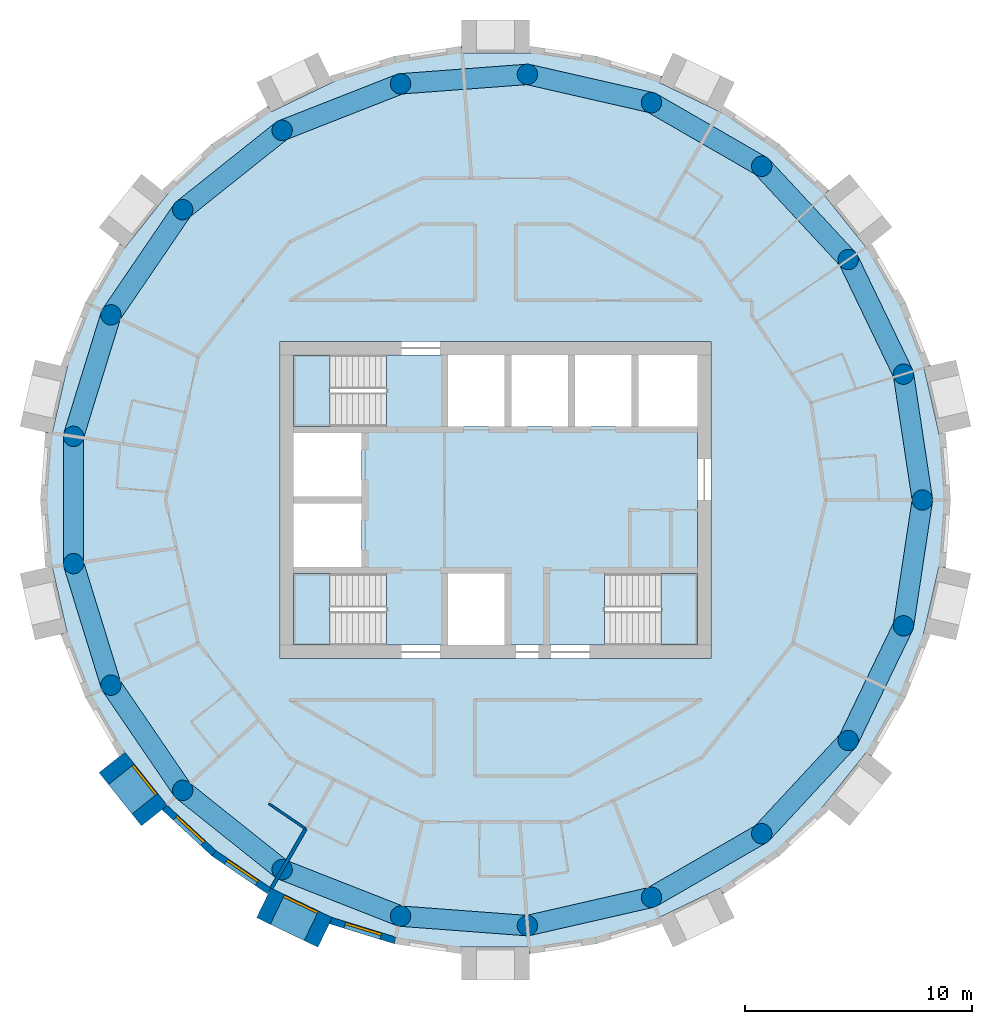
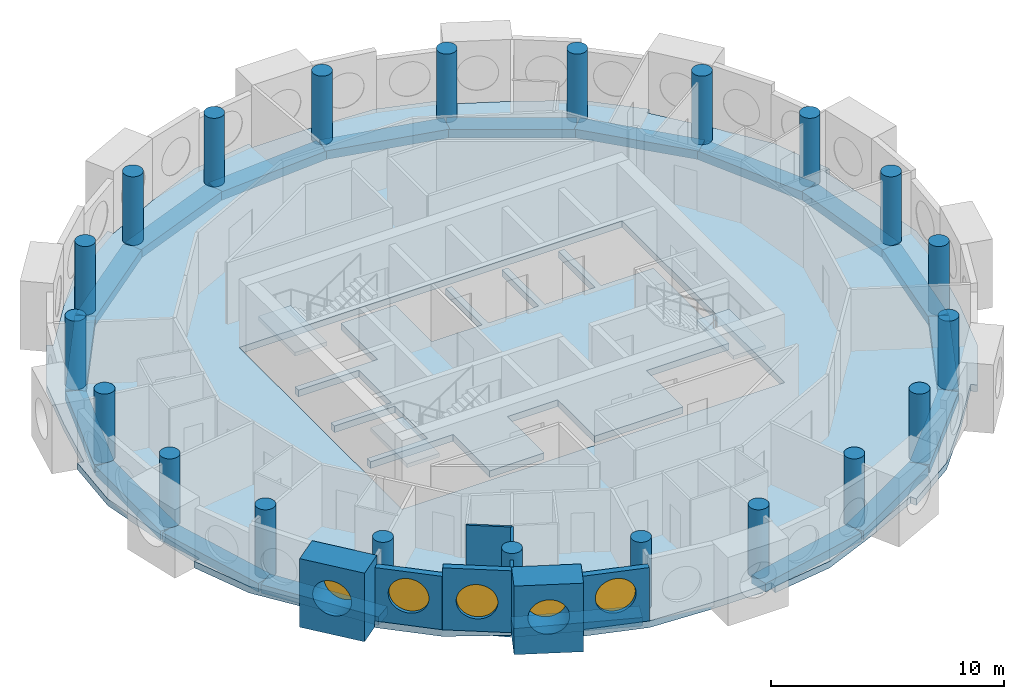
# One storey, part 1 of 12: 21 beams, 21 columns, 7 walls, 5 slabs, 5 windows, 5 openings, 3 elements without a shape of their own.
"""IFC4 building model written with IfcOpenShell, lengths in metres."""

from ifc_helpers import new_model, si_unit, direction, frame, frame_2d, origin, origin_2d, place, context, subcontext, project, spatial, polyline, rectangle, circle, outline, extrude, material, layer, layer_set, material_profile, profile_set, type_object, element, fill, aggregate, save


model = new_model("IFC4")

# Units and contexts
model_context = context("Model", 3, precision=1e-05, world=origin(), true_north=direction((0.0, 1.0)))
body_context = subcontext(model_context, "Body", "Model", "MODEL_VIEW")
ifc_project = project(units=[si_unit("LENGTHUNIT", "METRE"), si_unit("AREAUNIT", "SQUARE_METRE"), si_unit("VOLUMEUNIT", "CUBIC_METRE"), si_unit("PLANEANGLEUNIT", "RADIAN"), si_unit("MASSUNIT", "GRAM", prefix="KILO")], contexts=[model_context])

# Site, building, storey
site_placement = place(None, origin())
site = spatial("IfcSite", under=ifc_project, at=site_placement, CompositionType="ELEMENT")
building_placement = place(site_placement, origin())
building = spatial("IfcBuilding", under=site, at=building_placement, Name="Tracery Tower", CompositionType="ELEMENT")
storey_placement = place(building_placement, frame((0.0, 0.0, 287.39990234375)))
storey = spatial("IfcBuildingStorey", under=building, at=storey_placement, Name="L74", CompositionType="ELEMENT", Elevation=287.39990234375)

# Columns
ifc_material_1 = material(Name="Concrete C40/50", Category="concrete")
ifc_material_profile_1 = material_profile(ifc_material_1, circle(Radius=0.449951171875, at=origin_2d()), Name="RC D900")
ifc_profile_set_1 = profile_set([ifc_material_profile_1], Name="Concrete C40/50")
column_type = type_object("IfcColumnType", Name="Ring 2 column 900", PredefinedType="COLUMN", material=ifc_profile_set_1)
for number, where, z_axis, x_axis, name in (
    (1, (18.822265625, 0.0, 0.0), (0.0, 0.0, 1.0), (1.0, 0.0, 0.0), "Ring 2 column 00 at L74"),
    (2, (17.986083984375, 5.5478515625, 0.0), (0.0, 0.0, 1.0), (1.0, 0.0, 0.0), "Ring 2 column 01 at L74"),
    (3, (15.551513671875, 10.602783203125, 0.0), (0.0, 0.0, 1.0), (1.0, 0.0, 0.0), "Ring 2 column 02 at L74"),
    (4, (11.7353515625, 14.7158203125, 0.0), (0.0, 0.0, 1.0), (1.0, 0.0, 0.0), "Ring 2 column 03 at L74"),
    (5, (6.87646484375, 17.52099609375, 0.0), (0.0, 0.0, 1.0), (1.0, 0.0, 0.0), "Ring 2 column 04 at L74"),
    (6, (1.406494140625, 18.76953125, 0.0), (0.0, 0.0, 1.0), (1.0, 0.0, 0.0), "Ring 2 column 05 at L74"),
    (7, (-4.188232421875, 18.350341796875, 0.0), (0.0, 0.0, 1.0), (1.0, 0.0, 0.0), "Ring 2 column 06 at L74"),
    (8, (-9.4111328125, 16.300537109375, 0.0), (0.0, 0.0, 1.0), (1.0, 0.0, 0.0), "Ring 2 column 07 at L74"),
    (9, (-13.797607421875, 12.802490234375, 0.0), (0.0, 0.0, 1.0), (1.0, 0.0, 0.0), "Ring 2 column 08 at L74"),
    (10, (-16.958251953125, 8.16650390625, 0.0), (0.0, 0.0, 1.0), (1.0, 0.0, 0.0), "Ring 2 column 09 at L74"),
    (11, (-18.612060546875, 2.805419921875, 0.0), (0.0, 0.0, 1.0), (1.0, 0.0, 0.0), "Ring 2 column 10 at L74"),
    (12, (-18.612060546875, -2.805419921875, 0.0), (0.0, 0.0, 1.0), (1.0, 0.0, 0.0), "Ring 2 column 11 at L74"),
    (13, (-16.958251953125, -8.166748046875, 0.0), (0.0, 0.0, 1.0), (1.0, 0.0, 0.0), "Ring 2 column 12 at L74"),
    (14, (-13.797607421875, -12.80224609375, 0.0), (0.0, 0.0, 1.0), (1.0, 0.0, 0.0), "Ring 2 column 13 at L74"),
    (15, (-9.4111328125, -16.300537109375, 0.0), (0.0, 0.0, 1.0), (1.0, 0.0, 0.0), "Ring 2 column 14 at L74"),
    (16, (-4.188232421875, -18.350341796875, 0.0), (0.0, 0.0, 1.0), (1.0, 0.0, 0.0), "Ring 2 column 15 at L74"),
    (17, (1.406494140625, -18.76953125, 0.0), (0.0, 0.0, 1.0), (1.0, 0.0, 0.0), "Ring 2 column 16 at L74"),
    (18, (6.87646484375, -17.52099609375, 0.0), (0.0, 0.0, 1.0), (1.0, 0.0, 0.0), "Ring 2 column 17 at L74"),
    (19, (11.7353515625, -14.7158203125, 0.0), (0.0, 0.0, 1.0), (1.0, 0.0, 0.0), "Ring 2 column 18 at L74"),
    (20, (15.551513671875, -10.602783203125, 0.0), (0.0, 0.0, 1.0), (1.0, 0.0, 0.0), "Ring 2 column 19 at L74"),
    (21, (17.986083984375, -5.5478515625, 0.0), (0.0, 0.0, 1.0), (1.0, 0.0, 0.0), "Ring 2 column 20 at L74"),
):
    element("IfcColumn", number, at=place(storey_placement, frame(where, z_axis=z_axis, x_axis=x_axis)), inside=storey, type_object=column_type, Name=name, PredefinedType="COLUMN", context=body_context, shape_type="SweptSolid", body=[
        extrude(circle(Radius=0.449951171875, at=origin_2d()), origin(), (0.0, 0.0, 1.0), 3.60009765625),
    ])

# Beams
ifc_material_2 = material(Name="Concrete C40/50", Category="concrete")
ifc_material_profile_2 = material_profile(ifc_material_2, rectangle(XDim=0.89990234375, YDim=0.449951171875, at=origin_2d()), Name="RC 900x450")
ifc_profile_set_2 = profile_set([ifc_material_profile_2], Name="Concrete C40/50")
beam_type = type_object("IfcBeamType", Name="Perimeter band beam 900x450", PredefinedType="BEAM", material=ifc_profile_set_2)
for number, where, z_axis, x_axis, name in (
    (22, (18.822265625, 0.0, -0.574951171875), (-0.149038355855, 0.988831415603, 0.0), (-0.988831415603, -0.149038355855, 0.0), "Perimeter beam 2.00 under L74"),
    (23, (17.986083984375, 5.5478515625, -0.574951171875), (-0.433918973155, 0.900951899235, 0.0), (-0.900951899235, -0.433918973155, 0.0), "Perimeter beam 2.01 under L74"),
):
    element("IfcBeam", number, at=place(storey_placement, frame(where, z_axis=z_axis, x_axis=x_axis)), inside=storey, type_object=beam_type, Name=name, PredefinedType="BEAM", context=body_context, shape_type="SweptSolid", body=[
        extrude(rectangle(XDim=0.89990234375, YDim=0.449951171875, at=origin_2d()), origin(), (0.0, 0.0, 1.0), 5.610595703125),
    ])
beam_1_placement = place(storey_placement, frame((15.551513671875, 10.602783203125, -0.574951171875), z_axis=(-0.680155630824, 0.733067744386, 0.0), x_axis=(-0.733067744386, -0.680155630824, 0.0)))
element("IfcBeam", 24, at=beam_1_placement, inside=storey, type_object=beam_type, Name="Perimeter beam 2.02 under L74", PredefinedType="BEAM", context=body_context, shape_type="SweptSolid", body=[
    extrude(rectangle(XDim=0.89990234375, YDim=0.449951171875, at=origin_2d()), origin(), (0.0, 0.0, 1.0), 5.61083984375),
])
for number, where, z_axis, x_axis, name in (
    (25, (11.7353515625, 14.7158203125, -0.574951171875), (-0.866033412818, 0.49998612769, 0.0), (-0.49998612769, -0.866033412818, 0.0), "Perimeter beam 2.03 under L74"),
    (26, (6.87646484375, 17.52099609375, -0.574951171875), (-0.974925977366, 0.222529410768, 0.0), (-0.222529410768, -0.974925977366, 0.0), "Perimeter beam 2.04 under L74"),
):
    element("IfcBeam", number, at=place(storey_placement, frame(where, z_axis=z_axis, x_axis=x_axis)), inside=storey, type_object=beam_type, Name=name, PredefinedType="BEAM", context=body_context, shape_type="SweptSolid", body=[
        extrude(rectangle(XDim=0.89990234375, YDim=0.449951171875, at=origin_2d()), origin(), (0.0, 0.0, 1.0), 5.610595703125),
    ])
beam_2_placement = place(storey_placement, frame((1.406494140625, 18.76953125, -0.574951171875), z_axis=(-0.997204824387, -0.07471638521, 0.0), x_axis=(0.07471638521, -0.997204824387, 0.0)))
element("IfcBeam", 27, at=beam_2_placement, inside=storey, type_object=beam_type, Name="Perimeter beam 2.05 under L74", PredefinedType="BEAM", context=body_context, shape_type="SweptSolid", body=[
    extrude(rectangle(XDim=0.89990234375, YDim=0.449951171875, at=origin_2d()), origin(), (0.0, 0.0, 1.0), 5.6103515625),
])
beam_3_placement = place(storey_placement, frame((-4.188232421875, 18.350341796875, -0.574951171875), z_axis=(-0.930875728468, -0.365335979817, 0.0), x_axis=(0.365335979817, -0.930875728468, 0.0)))
element("IfcBeam", 28, at=beam_3_placement, inside=storey, type_object=beam_type, Name="Perimeter beam 2.06 under L74", PredefinedType="BEAM", context=body_context, shape_type="SweptSolid", body=[
    extrude(rectangle(XDim=0.89990234375, YDim=0.449951171875, at=origin_2d()), origin(), (0.0, 0.0, 1.0), 5.61083984375),
])
beam_4_placement = place(storey_placement, frame((-9.4111328125, 16.300537109375, -0.574951171875), z_axis=(-0.781835817725, -0.623484365579, 0.0), x_axis=(0.623484365579, -0.781835817725, 0.0)))
element("IfcBeam", 29, at=beam_4_placement, inside=storey, type_object=beam_type, Name="Perimeter beam 2.07 under L74", PredefinedType="BEAM", context=body_context, shape_type="SweptSolid", body=[
    extrude(rectangle(XDim=0.89990234375, YDim=0.449951171875, at=origin_2d()), origin(), (0.0, 0.0, 1.0), 5.610595703125),
])
beam_5_placement = place(storey_placement, frame((-13.797607421875, 12.802490234375, -0.574951171875), z_axis=(-0.563305770578, -0.826248515178, 0.0), x_axis=(0.826248515178, -0.563305770578, 0.0)))
element("IfcBeam", 30, at=beam_5_placement, inside=storey, type_object=beam_type, Name="Perimeter beam 2.08 under L74", PredefinedType="BEAM", context=body_context, shape_type="SweptSolid", body=[
    extrude(rectangle(XDim=0.89990234375, YDim=0.449951171875, at=origin_2d()), origin(), (0.0, 0.0, 1.0), 5.61083984375),
])
beam_6_placement = place(storey_placement, frame((-16.958251953125, 8.16650390625, -0.574951171875), z_axis=(-0.294776851839, -0.955566118916, 0.0), x_axis=(0.955566118916, -0.294776851839, 0.0)))
element("IfcBeam", 31, at=beam_6_placement, inside=storey, type_object=beam_type, Name="Perimeter beam 2.09 under L74", PredefinedType="BEAM", context=body_context, shape_type="SweptSolid", body=[
    extrude(rectangle(XDim=0.89990234375, YDim=0.449951171875, at=origin_2d()), origin(), (0.0, 0.0, 1.0), 5.6103515625),
])
beam_7_placement = place(storey_placement, frame((-18.612060546875, 2.805419921875, -0.574951171875), z_axis=(0.0, -1.0, 0.0), x_axis=(1.0, 0.0, 0.0)))
element("IfcBeam", 32, at=beam_7_placement, inside=storey, type_object=beam_type, Name="Perimeter beam 2.10 under L74", PredefinedType="BEAM", context=body_context, shape_type="SweptSolid", body=[
    extrude(rectangle(XDim=0.89990234375, YDim=0.449951171875, at=origin_2d()), origin(), (0.0, 0.0, 1.0), 5.61083984375),
])
for number, where, z_axis, x_axis, name in (
    (33, (-18.612060546875, -2.805419921875, -0.574951171875), (0.294764594813, -0.955569899926, 0.0), (0.955569899926, 0.294764594813, 0.0), "Perimeter beam 2.11 under L74"),
    (34, (-16.958251953125, -8.166748046875, -0.574951171875), (0.5633462764, -0.826220898348, 0.0), (0.826220898348, 0.5633462764, 0.0), "Perimeter beam 2.12 under L74"),
    (35, (-13.797607421875, -12.80224609375, -0.574951171875), (0.781814605872, -0.623510963853, 0.0), (0.623510963853, 0.781814605872, 0.0), "Perimeter beam 2.13 under L74"),
):
    element("IfcBeam", number, at=place(storey_placement, frame(where, z_axis=z_axis, x_axis=x_axis)), inside=storey, type_object=beam_type, Name=name, PredefinedType="BEAM", context=body_context, shape_type="SweptSolid", body=[
        extrude(rectangle(XDim=0.89990234375, YDim=0.449951171875, at=origin_2d()), origin(), (0.0, 0.0, 1.0), 5.610595703125),
    ])
beam_8_placement = place(storey_placement, frame((-9.4111328125, -16.300537109375, -0.574951171875), z_axis=(0.930875728468, -0.365335979817, 0.0), x_axis=(0.365335979817, 0.930875728468, 0.0)))
element("IfcBeam", 36, at=beam_8_placement, inside=storey, type_object=beam_type, Name="Perimeter beam 2.14 under L74", PredefinedType="BEAM", context=body_context, shape_type="SweptSolid", body=[
    extrude(rectangle(XDim=0.89990234375, YDim=0.449951171875, at=origin_2d()), origin(), (0.0, 0.0, 1.0), 5.61083984375),
])
beam_9_placement = place(storey_placement, frame((-4.188232421875, -18.350341796875, -0.574951171875), z_axis=(0.997204824387, -0.07471638521, 0.0), x_axis=(0.07471638521, 0.997204824387, 0.0)))
element("IfcBeam", 37, at=beam_9_placement, inside=storey, type_object=beam_type, Name="Perimeter beam 2.15 under L74", PredefinedType="BEAM", context=body_context, shape_type="SweptSolid", body=[
    extrude(rectangle(XDim=0.89990234375, YDim=0.449951171875, at=origin_2d()), origin(), (0.0, 0.0, 1.0), 5.6103515625),
])
for number, where, z_axis, x_axis, name in (
    (38, (1.406494140625, -18.76953125, -0.574951171875), (0.974925977366, 0.222529410768, 0.0), (-0.222529410768, 0.974925977366, 0.0), "Perimeter beam 2.16 under L74"),
    (39, (6.87646484375, -17.52099609375, -0.574951171875), (0.866033412818, 0.49998612769, 0.0), (-0.49998612769, 0.866033412818, 0.0), "Perimeter beam 2.17 under L74"),
):
    element("IfcBeam", number, at=place(storey_placement, frame(where, z_axis=z_axis, x_axis=x_axis)), inside=storey, type_object=beam_type, Name=name, PredefinedType="BEAM", context=body_context, shape_type="SweptSolid", body=[
        extrude(rectangle(XDim=0.89990234375, YDim=0.449951171875, at=origin_2d()), origin(), (0.0, 0.0, 1.0), 5.610595703125),
    ])
beam_10_placement = place(storey_placement, frame((11.7353515625, -14.7158203125, -0.574951171875), z_axis=(0.680155630824, 0.733067744386, 0.0), x_axis=(-0.733067744386, 0.680155630824, 0.0)))
element("IfcBeam", 40, at=beam_10_placement, inside=storey, type_object=beam_type, Name="Perimeter beam 2.18 under L74", PredefinedType="BEAM", context=body_context, shape_type="SweptSolid", body=[
    extrude(rectangle(XDim=0.89990234375, YDim=0.449951171875, at=origin_2d()), origin(), (0.0, 0.0, 1.0), 5.61083984375),
])
for number, where, z_axis, x_axis, name in (
    (41, (15.551513671875, -10.602783203125, -0.574951171875), (0.433918973155, 0.900951899235, 0.0), (-0.900951899235, 0.433918973155, 0.0), "Perimeter beam 2.19 under L74"),
    (42, (17.986083984375, -5.5478515625, -0.574951171875), (0.149038355855, 0.988831415603, 0.0), (-0.988831415603, 0.149038355855, 0.0), "Perimeter beam 2.20 under L74"),
):
    element("IfcBeam", number, at=place(storey_placement, frame(where, z_axis=z_axis, x_axis=x_axis)), inside=storey, type_object=beam_type, Name=name, PredefinedType="BEAM", context=body_context, shape_type="SweptSolid", body=[
        extrude(rectangle(XDim=0.89990234375, YDim=0.449951171875, at=origin_2d()), origin(), (0.0, 0.0, 1.0), 5.610595703125),
    ])

# Slabs
ifc_material_3 = material(Name="Concrete C40/50", Category="concrete")
ifc_layer_1 = layer(ifc_material_3, 0.35009765625)
ifc_layer_set_1 = layer_set([ifc_layer_1], Name="Core floor slab 350 C40")
slab_type_1 = type_object("IfcSlabType", Name="Core floor slab 350 C40", PredefinedType="FLOOR", material=ifc_layer_set_1)
slab_1_placement = place(storey_placement, frame((0.0, 0.0, -0.349853515625)))
element("IfcSlab", 43, at=slab_1_placement, inside=storey, type_object=slab_type_1, Name="L74 core floor 1", PredefinedType="FLOOR", context=body_context, shape_type="SweptSolid", body=[
    extrude(outline(polyline([(-4.800537109375, -3.25), (-8.89990234375, -3.25), (-8.89990234375, -2.949951171875), (-5.89990234375, -2.949951171875), (-5.89990234375, -0.14990234375), (-8.89990234375, -0.14990234375), (-8.89990234375, 0.14990234375), (-5.89990234375, 0.14990234375), (-5.89990234375, 2.949951171875), (-8.89990234375, 2.949951171875), (-8.89990234375, 3.25), (-4.800537109375, 3.25), (-4.800537109375, 6.39990234375), (-2.10009765625, 6.39990234375), (-2.10009765625, 3.25), (0.39990234375, 3.25), (0.39990234375, 6.39990234375), (0.699951171875, 6.39990234375), (0.699951171875, 3.25), (3.199951171875, 3.25), (3.199951171875, 6.39990234375), (3.5, 6.39990234375), (3.5, 3.25), (6.0, 3.25), (6.0, 6.39990234375), (6.300048828125, 6.39990234375), (6.300048828125, 3.25), (8.89990234375, 3.25), (8.89990234375, -3.25), (4.800537109375, -3.25), (4.800537109375, -6.39990234375), (0.39990234375, -6.39990234375), (0.39990234375, -3.25), (-2.10009765625, -3.25), (-2.10009765625, -6.39990234375), (-4.800537109375, -6.39990234375), (-4.800537109375, -3.25)])), origin(), (0.0, 0.0, 1.0), 0.349853515625),
])
ifc_material_4 = material(Name="Concrete C40/50", Category="concrete")
ifc_layer_2 = layer(ifc_material_4, 0.35009765625)
ifc_layer_set_2 = layer_set([ifc_layer_2], Name="Floor slab 350")
slab_type_2 = type_object("IfcSlabType", Name="Floor slab 350", PredefinedType="FLOOR", material=ifc_layer_set_2)
slab_2_placement = place(storey_placement, frame((0.0, 0.0, -0.349853515625)))
element("IfcSlab", 44, at=slab_2_placement, inside=storey, type_object=slab_type_2, Name="Floor slab L74", PredefinedType="FLOOR", context=body_context, shape_type="SweptSolid", body=[
    extrude(outline(polyline([(19.243408203125, 4.291748046875), (18.887939453125, 5.849609375), (19.18017578125, 5.916259765625), (19.180419921875, 5.91650390625), (18.08447265625, 8.708984375), (16.336181640625, 11.13720703125), (15.6845703125, 11.954345703125), (14.493408203125, 13.447998046875), (14.493408203125, 13.447998046875), (14.4794921875, 13.465576171875), (14.7138671875, 13.652587890625), (14.714111328125, 13.652587890625), (12.514892578125, 15.693115234375), (9.885986328125, 17.122314453125), (9.227294921875, 17.439697265625), (7.223388671875, 18.404541015625), (7.223388671875, 18.404541015625), (7.202880859375, 18.414306640625), (7.333251953125, 18.6845703125), (7.333251953125, 18.684814453125), (4.466552734375, 19.56884765625), (1.47802734375, 19.716064453125), (-1.5, 19.716064453125), (-1.5, 20.01611328125), (-1.5, 20.01611328125), (-4.466552734375, 19.56884765625), (-7.223388671875, 18.404541015625), (-9.227294921875, 17.439697265625), (-9.906005859375, 17.11279296875), (-10.035888671875, 17.3828125), (-10.0361328125, 17.383056640625), (-12.514892578125, 15.693115234375), (-14.493408203125, 13.447998046875), (-15.6845703125, 11.954345703125), (-16.349853515625, 11.1201171875), (-16.58447265625, 11.30712890625), (-18.08447265625, 8.708984375), (-18.892822265625, 5.828125), (-19.243408203125, 4.291748046875), (-19.550537109375, 2.94677734375), (-19.550537109375, 2.94677734375), (-19.555419921875, 2.9248046875), (-19.847900390625, 2.99169921875), (-19.847900390625, 2.99169921875), (-20.072265625, 0.0), (-19.550537109375, -2.94677734375), (-19.243408203125, -4.291748046875), (-18.887939453125, -5.849609375), (-19.18017578125, -5.916259765625), (-19.180419921875, -5.91650390625), (-18.08447265625, -8.708984375), (-16.336181640625, -11.13720703125), (-15.6845703125, -11.954345703125), (-14.493408203125, -13.447998046875), (-14.493408203125, -13.447998046875), (-14.4794921875, -13.465576171875), (-14.7138671875, -13.652587890625), (-14.714111328125, -13.652587890625), (-12.514892578125, -15.693115234375), (-9.885986328125, -17.122314453125), (-9.227294921875, -17.439697265625), (-7.223388671875, -18.404541015625), (-7.223388671875, -18.404541015625), (-7.202880859375, -18.414306640625), (-7.333251953125, -18.6845703125), (-7.333251953125, -18.684814453125), (-4.466552734375, -19.56884765625), (-1.47802734375, -19.716064453125), (1.5, -19.716064453125), (1.5, -20.01611328125), (1.5, -20.01611328125), (4.466552734375, -19.56884765625), (7.223388671875, -18.404541015625), (9.227294921875, -17.439697265625), (9.906005859375, -17.11279296875), (10.035888671875, -17.3828125), (10.0361328125, -17.383056640625), (12.514892578125, -15.693115234375), (14.493408203125, -13.447998046875), (15.6845703125, -11.954345703125), (16.349853515625, -11.1201171875), (16.58447265625, -11.30712890625), (18.08447265625, -8.708984375), (18.892822265625, -5.828125), (19.243408203125, -4.291748046875), (19.550537109375, -2.94677734375), (19.550537109375, -2.94677734375), (19.555419921875, -2.9248046875), (19.847900390625, -2.99169921875), (19.847900390625, -2.99169921875), (20.072265625, 0.0), (19.550537109375, 2.94677734375), (19.243408203125, 4.291748046875)]), holes=[polyline([(-9.5, -7.0), (9.5, -7.0), (9.5, 7.0), (-9.5, 7.0), (-9.5, -7.0)])]), origin(), (0.0, 0.0, 1.0), 0.349853515625),
])

# Stair, slab
ifc_material_5 = material(Name="Concrete C32/40", Category="concrete")
stair_type = type_object("IfcStairType", Name="Core stair 22 risers", PredefinedType="HALF_TURN_STAIR", material=ifc_material_5)
stair_1_placement = place(storey_placement, origin())
stair_1 = element("IfcStair", 45, at=stair_1_placement, inside=storey, type_object=stair_type, Name="L74 stair ST1", PredefinedType="HALF_TURN_STAIR")
ifc_material_6 = material(Name="Concrete C32/40", Category="concrete")
ifc_layer_3 = layer(ifc_material_6, 0.199951171875)
ifc_layer_set_3 = layer_set([ifc_layer_3], Name="Stair landing slab 200")
slab_type_3 = type_object("IfcSlabType", Name="Stair landing slab 200", PredefinedType="LANDING", material=ifc_layer_set_3)
slab_3_placement = place(storey_placement, frame((0.0, 0.0, 1.60009765625)))
slab_3 = element("IfcSlab", 46, at=slab_3_placement, type_object=slab_type_3, Name="ST1 landing 1", PredefinedType="LANDING", context=body_context, shape_type="SweptSolid", body=[
    extrude(outline(polyline([(-7.29931640625, -3.25), (-8.89990234375, -3.25), (-8.89990234375, -6.39990234375), (-7.29931640625, -6.39990234375), (-7.29931640625, -3.25)])), origin(), (0.0, 0.0, 1.0), 0.199951171875),
])
aggregate(stair_1, [slab_3])

stair_2_placement = place(storey_placement, origin())
stair_2 = element("IfcStair", 47, at=stair_2_placement, inside=storey, type_object=stair_type, Name="L74 stair ST3", PredefinedType="HALF_TURN_STAIR")
slab_4_placement = place(storey_placement, frame((0.0, 0.0, 1.60009765625)))
slab_4 = element("IfcSlab", 48, at=slab_4_placement, type_object=slab_type_3, Name="ST3 landing 1", PredefinedType="LANDING", context=body_context, shape_type="SweptSolid", body=[
    extrude(outline(polyline([(-7.29931640625, 6.39990234375), (-8.89990234375, 6.39990234375), (-8.89990234375, 3.25), (-7.29931640625, 3.25), (-7.29931640625, 6.39990234375)])), origin(), (0.0, 0.0, 1.0), 0.199951171875),
])
aggregate(stair_2, [slab_4])

stair_3_placement = place(storey_placement, origin())
stair_3 = element("IfcStair", 49, at=stair_3_placement, inside=storey, type_object=stair_type, Name="L74 stair ST2", PredefinedType="HALF_TURN_STAIR")
slab_5_placement = place(storey_placement, frame((0.0, 0.0, 1.60009765625)))
slab_5 = element("IfcSlab", 50, at=slab_5_placement, type_object=slab_type_3, Name="ST2 landing 1", PredefinedType="LANDING", context=body_context, shape_type="SweptSolid", body=[
    extrude(outline(polyline([(7.29931640625, -6.39990234375), (8.89990234375, -6.39990234375), (8.89990234375, -3.25), (7.29931640625, -3.25), (7.29931640625, -6.39990234375)])), origin(), (0.0, 0.0, 1.0), 0.199951171875),
])
aggregate(stair_3, [slab_5])

# Wall, opening, window
ifc_material_7 = material(Name="Precast concrete C50/60", Category="concrete")
ifc_layer_4 = layer(ifc_material_7, 1.449951171875)
ifc_layer_set_4 = layer_set([ifc_layer_4], Name="Deep-set bay unit 3000 x 3600, slab edge 350")
wall_type_1 = type_object("IfcWallType", Name="Deep-set bay unit 3000 x 3600, slab edge 350", PredefinedType="ELEMENTEDWALL", material=ifc_layer_set_4)
wall_1_placement = place(storey_placement, frame((-16.916748046875, -11.572021484375, -0.349853515625), z_axis=(0.0, 0.0, 1.0), x_axis=(0.623523286312, -0.781804778335, 0.0)))
wall_1 = element("IfcWall", 51, at=wall_1_placement, inside=storey, type_object=wall_type_1, Name="Deep-set bay unit 26 at L74", PredefinedType="ELEMENTEDWALL", context=body_context, shape_type="SweptSolid", body=[
    extrude(rectangle(XDim=3.0, YDim=1.449951171875, at=frame_2d((1.5, 0.0))), origin(), (0.0, 0.0, 1.0), 3.599853515625),
])
opening_1_placement = place(wall_1_placement, frame((1.5, 0.0, 1.89990234375)))
opening_1 = element("IfcOpeningElement", 52, at=opening_1_placement, cuts=wall_1, Name="Opening WN1", PredefinedType="OPENING", context=body_context, shape_type="SweptSolid", body=[
    extrude(circle(Radius=0.9000244140625, at=origin_2d()), frame((0.0, 0.73486328125, 0.0), z_axis=(0.0, -1.0, 0.0), x_axis=(1.0, 0.0, 0.0)), (0.0, 0.0, 1.0), 1.469970703125),
])
ifc_material_8 = material(Name="Aluminium frame with tinted double glazing", Category="aluminium")
window_type = type_object("IfcWindowType", Name="Round window 1800", PartitioningType="SINGLE_PANEL", PredefinedType="WINDOW", material=ifc_material_8)
window_1_placement = place(opening_1_placement, origin())
window_1 = element("IfcWindow", 53, at=window_1_placement, inside=storey, type_object=window_type, Name="Round window 26 at L74", OverallHeight=1.800048828125, OverallWidth=1.800048828125, PartitioningType="SINGLE_PANEL", PredefinedType="WINDOW", context=body_context, shape_type="SweptSolid", body=[
    extrude(circle(Radius=0.9000244140625, at=origin_2d()), frame((0.0, 0.69482421875, 0.0), z_axis=(0.0, -1.0, 0.0), x_axis=(1.0, 0.0, 0.0)), (0.0, 0.0, 1.0), 0.10009765625),
])
fill(opening_1, window_1)

wall_2_placement = place(storey_placement, frame((-10.220458984375, -17.765869140625, -0.349853515625), z_axis=(0.0, 0.0, 1.0), x_axis=(0.900953362039, -0.433915935904, 0.0)))
wall_2 = element("IfcWall", 54, at=wall_2_placement, inside=storey, type_object=wall_type_1, Name="Deep-set bay unit 29 at L74", PredefinedType="ELEMENTEDWALL", context=body_context, shape_type="SweptSolid", body=[
    extrude(rectangle(XDim=3.0, YDim=1.449951171875, at=frame_2d((1.5, 0.0))), origin(), (0.0, 0.0, 1.0), 3.599853515625),
])
opening_2_placement = place(wall_2_placement, frame((1.5, 0.0, 1.89990234375)))
opening_2 = element("IfcOpeningElement", 55, at=opening_2_placement, cuts=wall_2, Name="Opening WN1", PredefinedType="OPENING", context=body_context, shape_type="SweptSolid", body=[
    extrude(circle(Radius=0.9000244140625, at=origin_2d()), frame((0.0, 0.73486328125, 0.0), z_axis=(0.0, -1.0, 0.0), x_axis=(1.0, 0.0, 0.0)), (0.0, 0.0, 1.0), 1.469970703125),
])
window_2_placement = place(opening_2_placement, origin())
window_2 = element("IfcWindow", 56, at=window_2_placement, inside=storey, type_object=window_type, Name="Round window 29 at L74", OverallHeight=1.800048828125, OverallWidth=1.800048828125, PartitioningType="SINGLE_PANEL", PredefinedType="WINDOW", context=body_context, shape_type="SweptSolid", body=[
    extrude(circle(Radius=0.9000244140625, at=origin_2d()), frame((0.0, 0.69482421875, 0.0), z_axis=(0.0, -1.0, 0.0), x_axis=(1.0, 0.0, 0.0)), (0.0, 0.0, 1.0), 0.10009765625),
])
fill(opening_2, window_2)

ifc_material_9 = material(Name="Precast concrete C50/60", Category="concrete")
ifc_layer_5 = layer(ifc_material_9, 0.300048828125)
ifc_layer_set_5 = layer_set([ifc_layer_5], Name="Facade panel 3000 x 2800")
wall_type_2 = type_object("IfcWallType", Name="Facade panel 3000 x 2800", PredefinedType="SOLIDWALL", material=ifc_layer_set_5)
wall_3_placement = place(storey_placement, frame((-14.592529296875, -13.560546875, 0.0), z_axis=(0.0, 0.0, 1.0), x_axis=(0.733028283666, -0.680198158882, 0.0)))
wall_3 = element("IfcWall", 57, at=wall_3_placement, inside=storey, type_object=wall_type_2, Name="Facade panel 27 at L74", PredefinedType="SOLIDWALL", context=body_context, shape_type="SweptSolid", body=[
    extrude(rectangle(XDim=2.962158203125, YDim=0.300048828125, at=frame_2d((1.48095703125, 0.0))), origin(), (0.0, 0.0, 1.0), 2.800048828125),
])
opening_3_placement = place(wall_3_placement, frame((1.48095703125, 0.0, 1.5498046875)))
opening_3 = element("IfcOpeningElement", 58, at=opening_3_placement, cuts=wall_3, Name="Opening WN1", PredefinedType="OPENING", context=body_context, shape_type="SweptSolid", body=[
    extrude(circle(Radius=0.9000244140625, at=origin_2d()), frame((0.0, 0.159912109375, 0.0), z_axis=(0.0, -1.0, 0.0), x_axis=(1.0, 0.0, 0.0)), (0.0, 0.0, 1.0), 0.320068359375),
])
window_3_placement = place(opening_3_placement, origin())
window_3 = element("IfcWindow", 59, at=window_3_placement, inside=storey, type_object=window_type, Name="Round window 27 at L74", OverallHeight=1.800048828125, OverallWidth=1.800048828125, PartitioningType="SINGLE_PANEL", PredefinedType="WINDOW", context=body_context, shape_type="SweptSolid", body=[
    extrude(circle(Radius=0.9000244140625, at=origin_2d()), frame((0.0, 0.1201171875, 0.0), z_axis=(0.0, -1.0, 0.0), x_axis=(1.0, 0.0, 0.0)), (0.0, 0.0, 1.0), 0.10009765625),
])
fill(opening_3, window_3)

wall_4_placement = place(storey_placement, frame((-7.263671875, -18.549072265625, 0.0), z_axis=(0.0, 0.0, 1.0), x_axis=(0.955555982805, -0.29480970765, 0.0)))
wall_4 = element("IfcWall", 60, at=wall_4_placement, inside=storey, type_object=wall_type_2, Name="Facade panel 30 at L74", PredefinedType="SOLIDWALL", context=body_context, shape_type="SweptSolid", body=[
    extrude(rectangle(XDim=2.962158203125, YDim=0.300048828125, at=frame_2d((1.48095703125, 0.0))), origin(), (0.0, 0.0, 1.0), 2.800048828125),
])
opening_4_placement = place(wall_4_placement, frame((1.48095703125, 0.0, 1.5498046875)))
opening_4 = element("IfcOpeningElement", 61, at=opening_4_placement, cuts=wall_4, Name="Opening WN1", PredefinedType="OPENING", context=body_context, shape_type="SweptSolid", body=[
    extrude(circle(Radius=0.9000244140625, at=origin_2d()), frame((0.0, 0.159912109375, 0.0), z_axis=(0.0, -1.0, 0.0), x_axis=(1.0, 0.0, 0.0)), (0.0, 0.0, 1.0), 0.320068359375),
])
window_4_placement = place(opening_4_placement, origin())
window_4 = element("IfcWindow", 62, at=window_4_placement, inside=storey, type_object=window_type, Name="Round window 30 at L74", OverallHeight=1.800048828125, OverallWidth=1.800048828125, PartitioningType="SINGLE_PANEL", PredefinedType="WINDOW", context=body_context, shape_type="SweptSolid", body=[
    extrude(circle(Radius=0.9000244140625, at=origin_2d()), frame((0.0, 0.1201171875, 0.0), z_axis=(0.0, -1.0, 0.0), x_axis=(1.0, 0.0, 0.0)), (0.0, 0.0, 1.0), 0.10009765625),
])
fill(opening_4, window_4)

ifc_material_10 = material(Name="Precast concrete C50/60", Category="concrete")
ifc_layer_6 = layer(ifc_material_10, 0.300048828125)
ifc_layer_set_6 = layer_set([ifc_layer_6], Name="Facade panel 3000 x 3250")
wall_type_3 = type_object("IfcWallType", Name="Facade panel 3000 x 3250", PredefinedType="SOLIDWALL", material=ifc_layer_set_6)
wall_5_placement = place(storey_placement, frame((-12.421142578125, -15.575439453125, 0.0), z_axis=(0.0, 0.0, 1.0), x_axis=(0.826236061068, -0.563324037646, 0.0)))
wall_5 = element("IfcWall", 63, at=wall_5_placement, inside=storey, type_object=wall_type_3, Name="Facade panel 28 at L74", PredefinedType="SOLIDWALL", context=body_context, shape_type="SweptSolid", body=[
    extrude(rectangle(XDim=2.962158203125, YDim=0.300048828125, at=frame_2d((1.48095703125, 0.0))), origin(), (0.0, 0.0, 1.0), 3.25),
])
opening_5_placement = place(wall_5_placement, frame((1.48095703125, 0.0, 1.5498046875)))
opening_5 = element("IfcOpeningElement", 64, at=opening_5_placement, cuts=wall_5, Name="Opening WN1", PredefinedType="OPENING", context=body_context, shape_type="SweptSolid", body=[
    extrude(circle(Radius=0.9000244140625, at=origin_2d()), frame((0.0, 0.159912109375, 0.0), z_axis=(0.0, -1.0, 0.0), x_axis=(1.0, 0.0, 0.0)), (0.0, 0.0, 1.0), 0.320068359375),
])
window_5_placement = place(opening_5_placement, origin())
window_5 = element("IfcWindow", 65, at=window_5_placement, inside=storey, type_object=window_type, Name="Round window 28 at L74", OverallHeight=1.800048828125, OverallWidth=1.800048828125, PartitioningType="SINGLE_PANEL", PredefinedType="WINDOW", context=body_context, shape_type="SweptSolid", body=[
    extrude(circle(Radius=0.9000244140625, at=origin_2d()), frame((0.0, 0.1201171875, 0.0), z_axis=(0.0, -1.0, 0.0), x_axis=(1.0, 0.0, 0.0)), (0.0, 0.0, 1.0), 0.10009765625),
])
fill(opening_5, window_5)

# Walls
ifc_material_11 = material(Name="Plasterboard on steel studs", Category="steel")
ifc_layer_7 = layer(ifc_material_11, 0.10009765625)
ifc_layer_set_7 = layer_set([ifc_layer_7], Name="Partition 100 wet wall")
wall_type_4 = type_object("IfcWallType", Name="Partition 100 wet wall", PredefinedType="PARTITIONING", material=ifc_layer_set_7)
wall_6_placement = place(storey_placement, frame((-10.001953125, -13.386962890625, 0.0), z_axis=(0.0, 0.0, 1.0), x_axis=(0.82620117489, -0.563375202339, 0.0)))
element("IfcWall", 66, at=wall_6_placement, inside=storey, type_object=wall_type_4, Name="Wet wall RC6-074", PredefinedType="PARTITIONING", context=body_context, shape_type="SweptSolid", body=[
    extrude(rectangle(XDim=1.973876953125, YDim=0.10009765625, at=frame_2d((0.98681640625, 0.0))), origin(), (0.0, 0.0, 1.0), 3.25),
])
ifc_material_12 = material(Name="Plasterboard on steel studs", Category="steel")
ifc_layer_8 = layer(ifc_material_12, 0.14990234375)
ifc_layer_set_8 = layer_set([ifc_layer_8], Name="Partition 150 acoustic unit wall")
wall_type_5 = type_object("IfcWallType", Name="Partition 150 acoustic unit wall", PredefinedType="PARTITIONING", material=ifc_layer_set_8)
wall_7_placement = place(storey_placement, frame((-9.885986328125, -17.1220703125, 0.0), z_axis=(0.0, 0.0, 1.0), x_axis=(0.500117793536, 0.865957384972, 0.0)))
element("IfcWall", 67, at=wall_7_placement, inside=storey, type_object=wall_type_5, Name="Unit wall RC6-075", PredefinedType="PARTITIONING", context=body_context, shape_type="SweptSolid", body=[
    extrude(rectangle(XDim=3.029052734375, YDim=0.14990234375, at=frame_2d((1.5146484375, 0.0))), origin(), (0.0, 0.0, 1.0), 3.25),
])

save(model, "model.ifc")
